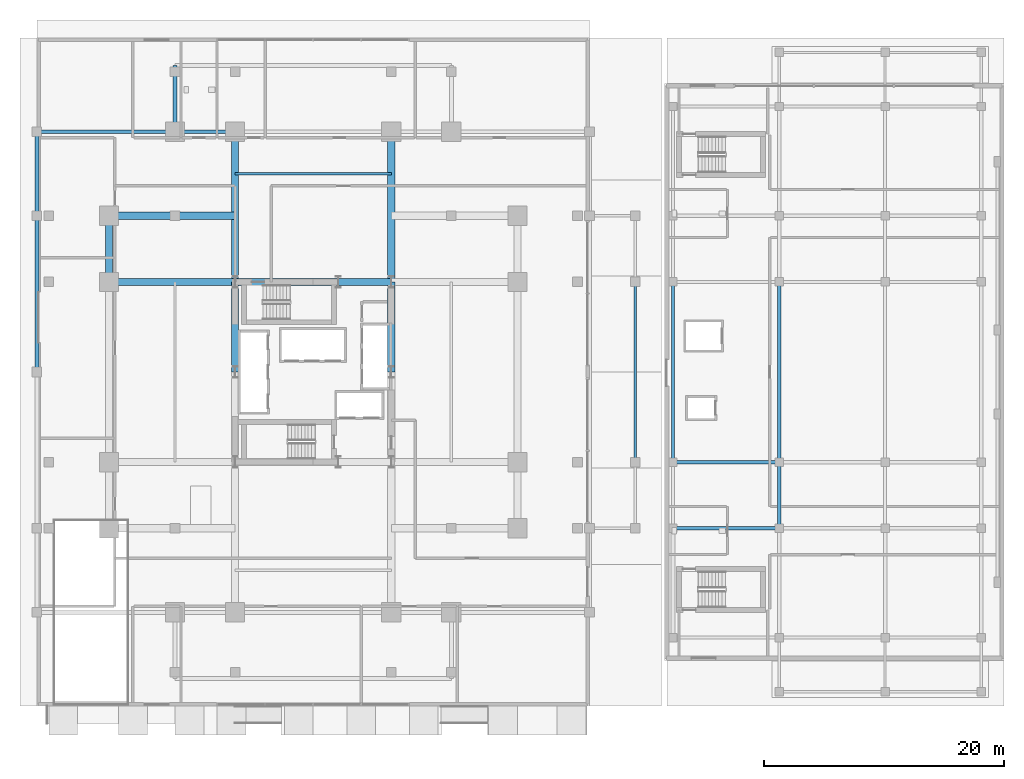
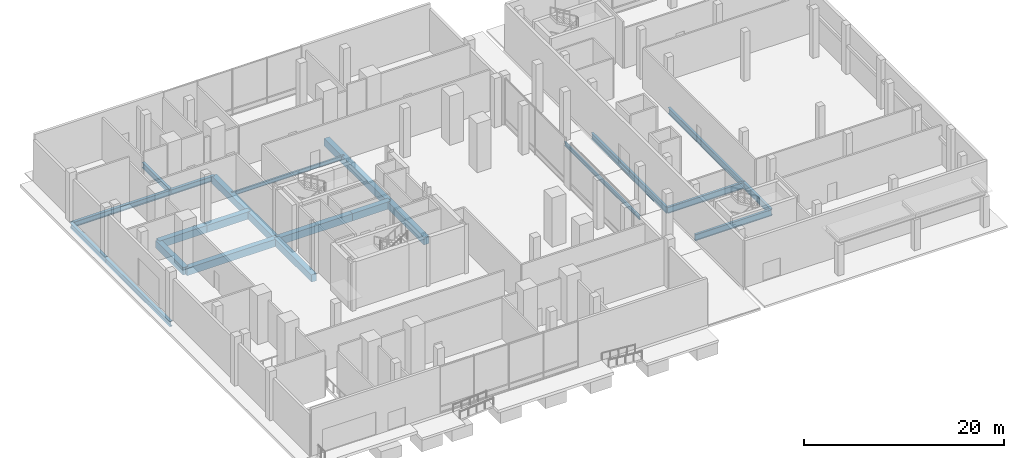
# One storey, part 13 of 34: 22 beams.
"""IFC4 building model written with IfcOpenShell, lengths in metres."""

from ifc_helpers import new_model, si_unit, direction, frame, origin, origin_2d, place, context, subcontext, project, spatial, rectangle, i_section, extrude, material, material_profile, profile_set, type_object, element, save


model = new_model("IFC4")

# Units and contexts
model_context = context("Model", 3, precision=1e-05, world=origin(), true_north=direction((0.0, 1.0)))
body_context = subcontext(model_context, "Body", "Model", "MODEL_VIEW")
ifc_project = project(units=[si_unit("LENGTHUNIT", "METRE"), si_unit("AREAUNIT", "SQUARE_METRE"), si_unit("VOLUMEUNIT", "CUBIC_METRE"), si_unit("PLANEANGLEUNIT", "RADIAN"), si_unit("MASSUNIT", "GRAM", prefix="KILO")], contexts=[model_context])

# Site, building, storey
site_placement = place(None, origin())
site = spatial("IfcSite", under=ifc_project, at=site_placement, CompositionType="ELEMENT")
building_placement = place(site_placement, origin())
building = spatial("IfcBuilding", under=site, at=building_placement, Name="Barlavira Tower and Art Museum", CompositionType="ELEMENT")
storey_placement = place(building_placement, origin())
storey = spatial("IfcBuildingStorey", under=building, at=storey_placement, Name="L00", CompositionType="ELEMENT", Elevation=0.0)

# Beams
ifc_material_1 = material(Name="Steel S355", Category="steel")
ifc_material_profile_1 = material_profile(ifc_material_1, i_section(OverallWidth=0.194091796875, OverallDepth=0.468994140625, WebThickness=0.0126953125, FlangeThickness=0.0205078125, at=origin_2d()), Name="W460x106.0")
ifc_profile_set_1 = profile_set([ifc_material_profile_1], Name="Steel S355")
beam_type_1 = type_object("IfcBeamType", Name="Covered Arcade Roof Girder W460x106 Steel S355", PredefinedType="BEAM", material=ifc_profile_set_1)
beam_1_placement = place(storey_placement, frame((26.800048828125, -7.5, -0.58447265625), z_axis=(0.0, 1.0, 0.0), x_axis=(-1.0, 0.0, 0.0)))
element("IfcBeam", 1, at=beam_1_placement, inside=storey, type_object=beam_type_1, Name="L00 Arcade Longitudinal Beam 2", PredefinedType="BEAM", context=body_context, shape_type="SweptSolid", body=[
    extrude(i_section(OverallWidth=0.194091796875, OverallDepth=0.468994140625, WebThickness=0.0126953125, FlangeThickness=0.0205078125, at=origin_2d()), origin(), (0.0, 0.0, 1.0), 15.0),
])
ifc_material_profile_2 = material_profile(ifc_material_1, i_section(OverallWidth=0.26904296875, OverallDepth=0.76806640625, WebThickness=0.016845703125, FlangeThickness=0.026611328125, at=origin_2d()), Name="W760x220.0")
ifc_profile_set_2 = profile_set([ifc_material_profile_2], Name="Steel S355")
beam_type_2 = type_object("IfcBeamType", Name="Museum Long-Span Gallery Girder W760x220 Steel S355", PredefinedType="BEAM", material=ifc_profile_set_2)
beam_2_placement = place(storey_placement, frame((29.949951171875, -7.5, -0.73388671875), z_axis=(0.0, 1.0, 0.0), x_axis=(-1.0, 0.0, 0.0)))
element("IfcBeam", 2, at=beam_2_placement, inside=storey, type_object=beam_type_2, Name="L00 Museum Girder Y 1-3", PredefinedType="BEAM", context=body_context, shape_type="SweptSolid", body=[
    extrude(i_section(OverallWidth=0.26904296875, OverallDepth=0.76806640625, WebThickness=0.016845703125, FlangeThickness=0.026611328125, at=origin_2d()), origin(), (0.0, 0.0, 1.0), 15.0),
])
beam_3_placement = place(storey_placement, frame((38.800048828125, -13.0, -0.73388671875), z_axis=(0.0, 1.0, 0.0), x_axis=(-1.0, 0.0, 0.0)))
element("IfcBeam", 3, at=beam_3_placement, inside=storey, type_object=beam_type_2, Name="L00 Museum Girder Y 2-2", PredefinedType="BEAM", context=body_context, shape_type="SweptSolid", body=[
    extrude(i_section(OverallWidth=0.26904296875, OverallDepth=0.76806640625, WebThickness=0.016845703125, FlangeThickness=0.026611328125, at=origin_2d()), origin(), (0.0, 0.0, 1.0), 5.5),
])
beam_4_placement = place(storey_placement, frame((38.800048828125, -7.5, -0.73388671875), z_axis=(0.0, 1.0, 0.0), x_axis=(-1.0, 0.0, 0.0)))
element("IfcBeam", 4, at=beam_4_placement, inside=storey, type_object=beam_type_2, Name="L00 Museum Girder Y 2-3", PredefinedType="BEAM", context=body_context, shape_type="SweptSolid", body=[
    extrude(i_section(OverallWidth=0.26904296875, OverallDepth=0.76806640625, WebThickness=0.016845703125, FlangeThickness=0.026611328125, at=origin_2d()), origin(), (0.0, 0.0, 1.0), 15.0),
])
for number, where, z_axis, x_axis, name in (
    (5, (29.949951171875, -13.0, -0.73388671875), (1.0, 0.0, 0.0), (0.0, 1.0, 0.0), "L00 Museum Girder X 2-1"),
    (6, (29.949951171875, -7.5, -0.73388671875), (1.0, 0.0, 0.0), (0.0, 1.0, 0.0), "L00 Museum Girder X 3-1"),
):
    element("IfcBeam", number, at=place(storey_placement, frame(where, z_axis=z_axis, x_axis=x_axis)), inside=storey, type_object=beam_type_2, Name=name, PredefinedType="BEAM", context=body_context, shape_type="SweptSolid", body=[
        extrude(i_section(OverallWidth=0.26904296875, OverallDepth=0.76806640625, WebThickness=0.016845703125, FlangeThickness=0.026611328125, at=origin_2d()), origin(), (0.0, 0.0, 1.0), 8.85009765625),
    ])
ifc_material_profile_3 = material_profile(ifc_material_1, i_section(OverallWidth=0.327880859375, OverallDepth=0.62890625, WebThickness=0.013916015625, FlangeThickness=0.021484375, at=origin_2d()), Name="W610x174.0")
ifc_profile_set_3 = profile_set([ifc_material_profile_3], Name="Steel S355")
beam_type_3 = type_object("IfcBeamType", Name="Perimeter Spandrel Edge Beam W610x174 Steel S355", PredefinedType="SPANDREL", material=ifc_profile_set_3)
beam_5_placement = place(storey_placement, frame((-23.0, 20.0, -0.66455078125), z_axis=(1.0, 0.0, 0.0), x_axis=(0.0, 1.0, 0.0)))
element("IfcBeam", 7, at=beam_5_placement, inside=storey, type_object=beam_type_3, Name="L00 Podium Spandrel PN1", PredefinedType="SPANDREL", context=body_context, shape_type="SweptSolid", body=[
    extrude(i_section(OverallWidth=0.327880859375, OverallDepth=0.62890625, WebThickness=0.013916015625, FlangeThickness=0.021484375, at=origin_2d()), origin(), (0.0, 0.0, 1.0), 11.5),
])
beam_6_placement = place(storey_placement, frame((-11.5, 20.0, -0.66455078125), z_axis=(1.0, 0.0, 0.0), x_axis=(0.0, 1.0, 0.0)))
element("IfcBeam", 8, at=beam_6_placement, inside=storey, type_object=beam_type_3, Name="L00 Podium Spandrel PN2", PredefinedType="SPANDREL", context=body_context, shape_type="SweptSolid", body=[
    extrude(i_section(OverallWidth=0.327880859375, OverallDepth=0.62890625, WebThickness=0.013916015625, FlangeThickness=0.021484375, at=origin_2d()), origin(), (0.0, 0.0, 1.0), 5.0),
])
beam_7_placement = place(storey_placement, frame((-23.0, 0.0, -0.66455078125), z_axis=(0.0, 1.0, 0.0), x_axis=(-1.0, 0.0, 0.0)))
element("IfcBeam", 9, at=beam_7_placement, inside=storey, type_object=beam_type_3, Name="L00 Podium Spandrel PW3", PredefinedType="SPANDREL", context=body_context, shape_type="SweptSolid", body=[
    extrude(i_section(OverallWidth=0.327880859375, OverallDepth=0.62890625, WebThickness=0.013916015625, FlangeThickness=0.021484375, at=origin_2d()), origin(), (0.0, 0.0, 1.0), 13.0),
])
beam_8_placement = place(storey_placement, frame((-23.0, 13.0, -0.66455078125), z_axis=(0.0, 1.0, 0.0), x_axis=(-1.0, 0.0, 0.0)))
element("IfcBeam", 10, at=beam_8_placement, inside=storey, type_object=beam_type_3, Name="L00 Podium Spandrel PW4", PredefinedType="SPANDREL", context=body_context, shape_type="SweptSolid", body=[
    extrude(i_section(OverallWidth=0.327880859375, OverallDepth=0.62890625, WebThickness=0.013916015625, FlangeThickness=0.021484375, at=origin_2d()), origin(), (0.0, 0.0, 1.0), 7.0),
])
beam_9_placement = place(storey_placement, frame((-11.5, 20.0, -0.66455078125), z_axis=(0.0, 1.0, 0.0), x_axis=(-1.0, 0.0, 0.0)))
element("IfcBeam", 11, at=beam_9_placement, inside=storey, type_object=beam_type_3, Name="L00 NW Cascade Spandrel", PredefinedType="SPANDREL", context=body_context, shape_type="SweptSolid", body=[
    extrude(i_section(OverallWidth=0.327880859375, OverallDepth=0.62890625, WebThickness=0.013916015625, FlangeThickness=0.021484375, at=origin_2d()), origin(), (0.0, 0.0, 1.0), 5.5),
])
ifc_material_profile_4 = material_profile(ifc_material_1, i_section(OverallWidth=0.19189453125, OverallDepth=0.462890625, WebThickness=0.010498046875, FlangeThickness=0.017578125, at=origin_2d()), Name="W460x89.0")
ifc_profile_set_4 = profile_set([ifc_material_profile_4], Name="Steel S355")
beam_type_4 = type_object("IfcBeamType", Name="Podium Floor Joist W460x89 Steel S355", PredefinedType="JOIST", material=ifc_profile_set_4)
beam_10_placement = place(storey_placement, frame((-6.5, 16.5, -0.58154296875), z_axis=(1.0, 0.0, 0.0), x_axis=(0.0, 1.0, 0.0)))
element("IfcBeam", 12, at=beam_10_placement, inside=storey, type_object=beam_type_4, Name="L00 Joist C2", PredefinedType="JOIST", context=body_context, shape_type="SweptSolid", body=[
    extrude(i_section(OverallWidth=0.19189453125, OverallDepth=0.462890625, WebThickness=0.010498046875, FlangeThickness=0.017578125, at=origin_2d()), origin(), (0.0, 0.0, 1.0), 13.0),
])
ifc_material_2 = material(Name="Concrete C50", Category="concrete")
ifc_material_profile_5 = material_profile(ifc_material_2, rectangle(XDim=0.60009765625, YDim=0.89990234375, at=origin_2d()), Name="RC-BM 600x900")
ifc_profile_set_5 = profile_set([ifc_material_profile_5], Name="Concrete C50")
beam_type_5 = type_object("IfcBeamType", Name="Substructure RC Girder 600x900 Concrete C50", PredefinedType="BEAM", material=ifc_profile_set_5)
beam_11_placement = place(storey_placement, frame((-6.5, 7.5, -0.800048828125), z_axis=(1.0, 0.0, 0.0), x_axis=(0.0, 1.0, 0.0)))
element("IfcBeam", 13, at=beam_11_placement, inside=storey, type_object=beam_type_5, Name="L00 Girder C-N1", PredefinedType="BEAM", context=body_context, shape_type="SweptSolid", body=[
    extrude(rectangle(XDim=0.60009765625, YDim=0.89990234375, at=origin_2d()), origin(), (0.0, 0.0, 1.0), 8.580078125),
])
beam_12_placement = place(storey_placement, frame((2.080078125, 7.5, -0.800048828125), z_axis=(1.0, 0.0, 0.0), x_axis=(0.0, 1.0, 0.0)))
element("IfcBeam", 14, at=beam_12_placement, inside=storey, type_object=beam_type_5, Name="L00 Girder C-N2", PredefinedType="BEAM", context=body_context, shape_type="SweptSolid", body=[
    extrude(rectangle(XDim=0.60009765625, YDim=0.89990234375, at=origin_2d()), origin(), (0.0, 0.0, 1.0), 4.419921875),
])
for number, where, z_axis, x_axis, name in (
    (15, (-6.5, 0.0, -0.800048828125), (0.0, 1.0, 0.0), (-1.0, 0.0, 0.0), "L00 Girder C-W2"),
    (16, (6.5, 0.0, -0.800048828125), (0.0, 1.0, 0.0), (-1.0, 0.0, 0.0), "L00 Girder C-E2"),
):
    element("IfcBeam", number, at=place(storey_placement, frame(where, z_axis=z_axis, x_axis=x_axis)), inside=storey, type_object=beam_type_5, Name=name, PredefinedType="BEAM", context=body_context, shape_type="SweptSolid", body=[
        extrude(rectangle(XDim=0.60009765625, YDim=0.89990234375, at=origin_2d()), origin(), (0.0, 0.0, 1.0), 7.5),
    ])
beam_13_placement = place(storey_placement, frame((-17.0, 7.5, -0.800048828125), z_axis=(0.0, 1.0, 0.0), x_axis=(-1.0, 0.0, 0.0)))
element("IfcBeam", 17, at=beam_13_placement, inside=storey, type_object=beam_type_5, Name="L00 Girder M-W3", PredefinedType="BEAM", context=body_context, shape_type="SweptSolid", body=[
    extrude(rectangle(XDim=0.60009765625, YDim=0.89990234375, at=origin_2d()), origin(), (0.0, 0.0, 1.0), 5.5),
])
for number, where, z_axis, x_axis, name in (
    (18, (-6.5, 7.5, -0.800048828125), (0.0, 1.0, 0.0), (-1.0, 0.0, 0.0), "L00 Girder R-N1"),
    (19, (6.5, 7.5, -0.800048828125), (0.0, 1.0, 0.0), (-1.0, 0.0, 0.0), "L00 Girder R-N2"),
):
    element("IfcBeam", number, at=place(storey_placement, frame(where, z_axis=z_axis, x_axis=x_axis)), inside=storey, type_object=beam_type_5, Name=name, PredefinedType="BEAM", context=body_context, shape_type="SweptSolid", body=[
        extrude(rectangle(XDim=0.60009765625, YDim=0.89990234375, at=origin_2d()), origin(), (0.0, 0.0, 1.0), 12.5),
    ])
beam_14_placement = place(storey_placement, frame((-17.0, 7.5, -0.800048828125), z_axis=(1.0, 0.0, 0.0), x_axis=(0.0, 1.0, 0.0)))
element("IfcBeam", 20, at=beam_14_placement, inside=storey, type_object=beam_type_5, Name="L00 Girder R-W2", PredefinedType="BEAM", context=body_context, shape_type="SweptSolid", body=[
    extrude(rectangle(XDim=0.60009765625, YDim=0.89990234375, at=origin_2d()), origin(), (0.0, 0.0, 1.0), 10.5),
])
beam_15_placement = place(storey_placement, frame((-17.0, 13.0, -0.800048828125), z_axis=(1.0, 0.0, 0.0), x_axis=(0.0, 1.0, 0.0)))
element("IfcBeam", 21, at=beam_15_placement, inside=storey, type_object=beam_type_5, Name="L00 Girder I-N1", PredefinedType="BEAM", context=body_context, shape_type="SweptSolid", body=[
    extrude(rectangle(XDim=0.60009765625, YDim=0.89990234375, at=origin_2d()), origin(), (0.0, 0.0, 1.0), 5.5),
])
beam_16_placement = place(storey_placement, frame((-11.5, 13.0, -0.800048828125), z_axis=(1.0, 0.0, 0.0), x_axis=(0.0, 1.0, 0.0)))
element("IfcBeam", 22, at=beam_16_placement, inside=storey, type_object=beam_type_5, Name="L00 Girder I-N2", PredefinedType="BEAM", context=body_context, shape_type="SweptSolid", body=[
    extrude(rectangle(XDim=0.60009765625, YDim=0.89990234375, at=origin_2d()), origin(), (0.0, 0.0, 1.0), 5.0),
])

save(model, "model.ifc")
